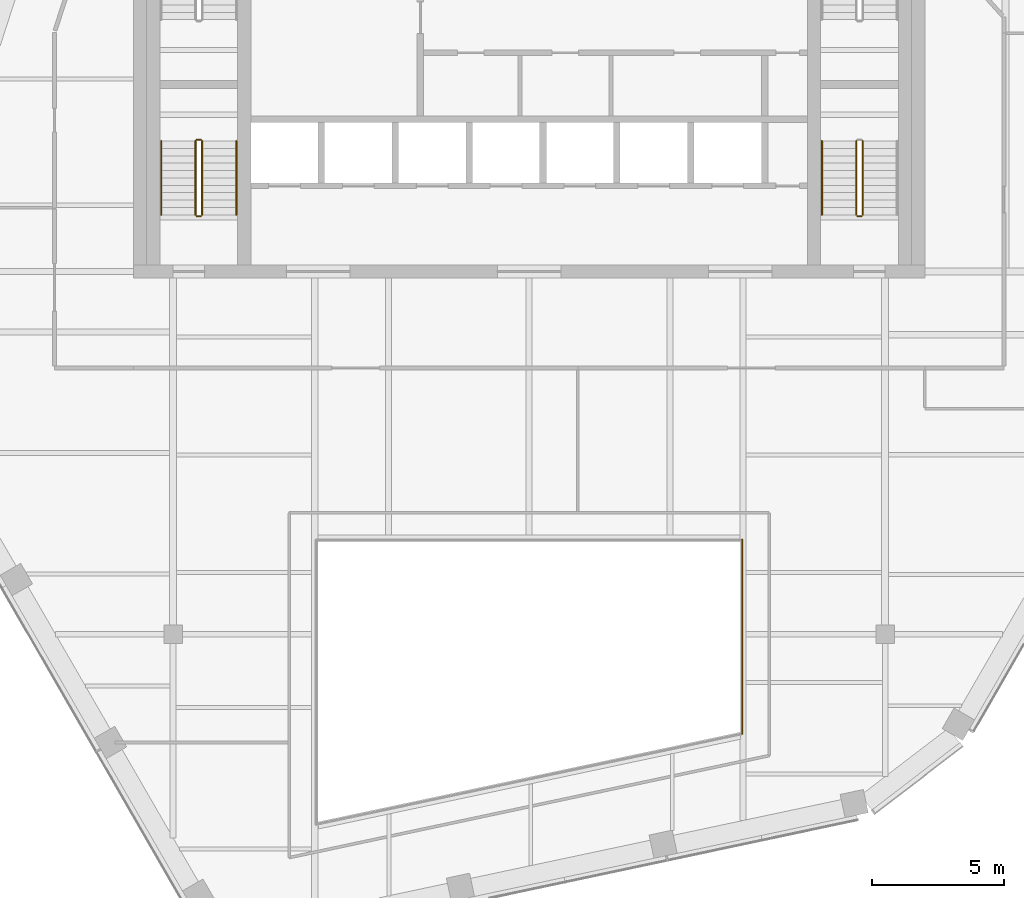
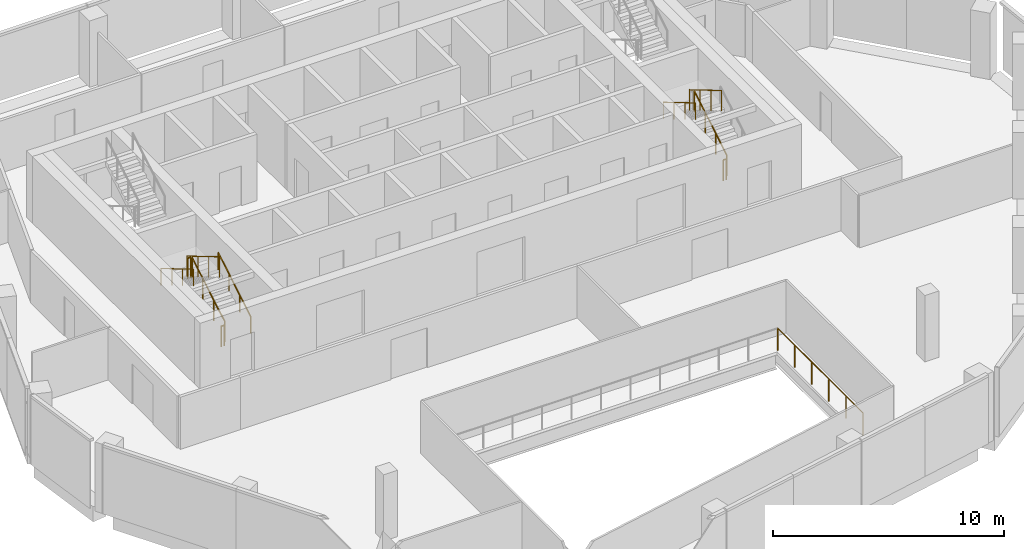
# One storey, part 12 of 15: 11 railings.
"""IFC4 building model written with IfcOpenShell, lengths in metres."""

from ifc_helpers import new_model, si_unit, direction, frame, origin, origin_2d, place, context, subcontext, project, spatial, circle, extrude, material, type_object, element, save


model = new_model("IFC4")

# Units and contexts
model_context = context("Model", 3, precision=1e-05, world=origin(), true_north=direction((0.0, 1.0)))
body_context = subcontext(model_context, "Body", "Model", "MODEL_VIEW")
ifc_project = project(units=[si_unit("LENGTHUNIT", "METRE"), si_unit("AREAUNIT", "SQUARE_METRE"), si_unit("VOLUMEUNIT", "CUBIC_METRE"), si_unit("PLANEANGLEUNIT", "RADIAN"), si_unit("MASSUNIT", "GRAM", prefix="KILO")], contexts=[model_context])

# Site, building, storey
site_placement = place(None, origin())
site = spatial("IfcSite", under=ifc_project, at=site_placement, CompositionType="ELEMENT")
building_placement = place(site_placement, origin())
building = spatial("IfcBuilding", under=site, at=building_placement, Name="Isthmus Gate Tower", CompositionType="ELEMENT")
storey_placement = place(building_placement, frame((0.0, 0.0, 282.85009765625)))
storey = spatial("IfcBuildingStorey", under=building, at=storey_placement, Name="L72", CompositionType="ELEMENT", Elevation=282.85009765625)

# Railings
ifc_material_1 = material(Name="Laminated toughened glass balustrade with steel rail", Category="steel")
railing_type_1 = type_object("IfcRailingType", Name="ATRIUM GUARD GLASS BALUSTRADE 1200", PredefinedType="GUARDRAIL", material=ifc_material_1)
railing_1_placement = place(storey_placement, frame((8.080078125, -9.919921875, 0.0)))
element("IfcRailing", 1, at=railing_1_placement, inside=storey, type_object=railing_type_1, Name="L72 atrium guard", PredefinedType="GUARDRAIL", context=body_context, shape_type="SweptSolid", body=[
    extrude(circle(Radius=0.02490234375, at=origin_2d()), frame((0.0, 0.0, 1.1748046875), z_axis=(0.0, -1.0, 0.0), x_axis=(1.0, 0.0, 0.0)), (0.0, 0.0, 1.0), 7.35498046875),
    extrude(circle(Radius=0.02490234375, at=origin_2d()), origin(), (0.0, 0.0, 1.0), 1.14990234375),
    extrude(circle(Radius=0.02490234375, at=origin_2d()), frame((0.0, -1.470947265625, 0.0)), (0.0, 0.0, 1.0), 1.14990234375),
    extrude(circle(Radius=0.02490234375, at=origin_2d()), frame((0.0, -2.94189453125, 0.0)), (0.0, 0.0, 1.0), 1.14990234375),
    extrude(circle(Radius=0.02490234375, at=origin_2d()), frame((0.0, -4.4130859375, 0.0)), (0.0, 0.0, 1.0), 1.14990234375),
    extrude(circle(Radius=0.02490234375, at=origin_2d()), frame((0.0, -5.884033203125, 0.0)), (0.0, 0.0, 1.0), 1.14990234375),
    extrude(circle(Radius=0.02490234375, at=origin_2d()), frame((0.0, -7.35498046875, 0.0)), (0.0, 0.0, 1.0), 1.14990234375),
])
ifc_material_2 = material(Name="Stainless steel balustrade", Category="steel")
railing_type_2 = type_object("IfcRailingType", Name="STAIR GUARD 1100", PredefinedType="GUARDRAIL", material=ifc_material_2)
railing_2_placement = place(storey_placement, frame((-12.39990234375, 2.39990234375, 0.165771484375)))
element("IfcRailing", 2, at=railing_2_placement, inside=storey, type_object=railing_type_2, Name="L72 ST7 stair guard 1", PredefinedType="GUARDRAIL", context=body_context, shape_type="SweptSolid", body=[
    extrude(circle(Radius=0.02392578125, at=origin_2d()), frame((0.0, 0.0, 1.076171875), z_axis=(0.0, 0.860306154799, 0.50977771628), x_axis=(-1.0, 0.0, 0.0)), (0.0, 0.0, 1.0), 3.254638671875),
    extrude(circle(Radius=0.02099609375, at=origin_2d()), origin(), (0.0, 0.0, 1.0), 1.052001953125),
    extrude(circle(Radius=0.02099609375, at=origin_2d()), frame((0.0, 0.933349609375, 0.552978515625)), (0.0, 0.0, 1.0), 1.052001953125),
    extrude(circle(Radius=0.02099609375, at=origin_2d()), frame((0.0, 1.86669921875, 1.106201171875)), (0.0, 0.0, 1.0), 1.052001953125),
    extrude(circle(Radius=0.02099609375, at=origin_2d()), frame((0.0, 2.800048828125, 1.6591796875)), (0.0, 0.0, 1.0), 1.052001953125),
])
railing_3_placement = place(storey_placement, frame((-12.449951171875, 5.25, 1.824951171875)))
element("IfcRailing", 3, at=railing_3_placement, inside=storey, type_object=railing_type_2, Name="L72 ST7 stair guard 2", PredefinedType="GUARDRAIL", context=body_context, shape_type="SweptSolid", body=[
    extrude(circle(Radius=0.02392578125, at=origin_2d()), frame((0.0, 0.0, 1.076171875), z_axis=(-1.0, 0.0, 0.0), x_axis=(0.0, -1.0, 0.0)), (0.0, 0.0, 1.0), 0.150146484375),
    extrude(circle(Radius=0.02099609375, at=origin_2d()), origin(), (0.0, 0.0, 1.0), 1.052001953125),
    extrude(circle(Radius=0.02099609375, at=origin_2d()), frame((-0.150146484375, 0.0, 0.0)), (0.0, 0.0, 1.0), 1.052001953125),
])
railing_4_placement = place(storey_placement, frame((-12.64990234375, 5.199951171875, 1.99072265625)))
element("IfcRailing", 4, at=railing_4_placement, inside=storey, type_object=railing_type_2, Name="L72 ST7 stair guard 3", PredefinedType="GUARDRAIL", context=body_context, shape_type="SweptSolid", body=[
    extrude(circle(Radius=0.02392578125, at=origin_2d()), frame((0.0, 0.0, 1.076171875), z_axis=(0.0, -0.860306154799, 0.50977771628), x_axis=(1.0, 0.0, 0.0)), (0.0, 0.0, 1.0), 3.254638671875),
    extrude(circle(Radius=0.02099609375, at=origin_2d()), origin(), (0.0, 0.0, 1.0), 1.052001953125),
    extrude(circle(Radius=0.02099609375, at=origin_2d()), frame((0.0, -0.933349609375, 0.552978515625)), (0.0, 0.0, 1.0), 1.052001953125),
    extrude(circle(Radius=0.02099609375, at=origin_2d()), frame((0.0, -1.86669921875, 1.106201171875)), (0.0, 0.0, 1.0), 1.052001953125),
    extrude(circle(Radius=0.02099609375, at=origin_2d()), frame((0.0, -2.800048828125, 1.6591796875)), (0.0, 0.0, 1.0), 1.052001953125),
])
railing_5_placement = place(storey_placement, frame((-12.449951171875, 2.35009765625, 0.0)))
element("IfcRailing", 5, at=railing_5_placement, inside=storey, type_object=railing_type_2, Name="L72 ST7 stair guard 4", PredefinedType="GUARDRAIL", context=body_context, shape_type="SweptSolid", body=[
    extrude(circle(Radius=0.02392578125, at=origin_2d()), frame((0.0, 0.0, 1.076171875), z_axis=(-1.0, 0.0, 0.0), x_axis=(0.0, -1.0, 0.0)), (0.0, 0.0, 1.0), 0.150146484375),
    extrude(circle(Radius=0.02099609375, at=origin_2d()), origin(), (0.0, 0.0, 1.0), 1.052001953125),
    extrude(circle(Radius=0.02099609375, at=origin_2d()), frame((-0.150146484375, 0.0, 0.0)), (0.0, 0.0, 1.0), 1.052001953125),
])
railing_6_placement = place(storey_placement, frame((12.64990234375, 2.39990234375, 0.165771484375)))
element("IfcRailing", 6, at=railing_6_placement, inside=storey, type_object=railing_type_2, Name="L72 ST8 stair guard 1", PredefinedType="GUARDRAIL", context=body_context, shape_type="SweptSolid", body=[
    extrude(circle(Radius=0.02392578125, at=origin_2d()), frame((0.0, 0.0, 1.076171875), z_axis=(0.0, 0.860306154799, 0.50977771628), x_axis=(-1.0, 0.0, 0.0)), (0.0, 0.0, 1.0), 3.254638671875),
    extrude(circle(Radius=0.02099609375, at=origin_2d()), origin(), (0.0, 0.0, 1.0), 1.052001953125),
    extrude(circle(Radius=0.02099609375, at=origin_2d()), frame((0.0, 0.933349609375, 0.552978515625)), (0.0, 0.0, 1.0), 1.052001953125),
    extrude(circle(Radius=0.02099609375, at=origin_2d()), frame((0.0, 1.86669921875, 1.106201171875)), (0.0, 0.0, 1.0), 1.052001953125),
    extrude(circle(Radius=0.02099609375, at=origin_2d()), frame((0.0, 2.800048828125, 1.6591796875)), (0.0, 0.0, 1.0), 1.052001953125),
])
railing_7_placement = place(storey_placement, frame((12.39990234375, 5.199951171875, 1.99072265625)))
element("IfcRailing", 7, at=railing_7_placement, inside=storey, type_object=railing_type_2, Name="L72 ST8 stair guard 3", PredefinedType="GUARDRAIL", context=body_context, shape_type="SweptSolid", body=[
    extrude(circle(Radius=0.02392578125, at=origin_2d()), frame((0.0, 0.0, 1.076171875), z_axis=(0.0, -0.860306154799, 0.50977771628), x_axis=(1.0, 0.0, 0.0)), (0.0, 0.0, 1.0), 3.254638671875),
    extrude(circle(Radius=0.02099609375, at=origin_2d()), origin(), (0.0, 0.0, 1.0), 1.052001953125),
    extrude(circle(Radius=0.02099609375, at=origin_2d()), frame((0.0, -0.933349609375, 0.552978515625)), (0.0, 0.0, 1.0), 1.052001953125),
    extrude(circle(Radius=0.02099609375, at=origin_2d()), frame((0.0, -1.86669921875, 1.106201171875)), (0.0, 0.0, 1.0), 1.052001953125),
    extrude(circle(Radius=0.02099609375, at=origin_2d()), frame((0.0, -2.800048828125, 1.6591796875)), (0.0, 0.0, 1.0), 1.052001953125),
])
railing_8_placement = place(storey_placement, frame((12.60009765625, 2.35009765625, 0.0)))
element("IfcRailing", 8, at=railing_8_placement, inside=storey, type_object=railing_type_2, Name="L72 ST8 stair guard 4", PredefinedType="GUARDRAIL", context=body_context, shape_type="SweptSolid", body=[
    extrude(circle(Radius=0.02392578125, at=origin_2d()), frame((0.0, 0.0, 1.076171875), z_axis=(-1.0, 0.0, 0.0), x_axis=(0.0, -1.0, 0.0)), (0.0, 0.0, 1.0), 0.150146484375),
    extrude(circle(Radius=0.02099609375, at=origin_2d()), origin(), (0.0, 0.0, 1.0), 1.052001953125),
    extrude(circle(Radius=0.02099609375, at=origin_2d()), frame((-0.150146484375, 0.0, 0.0)), (0.0, 0.0, 1.0), 1.052001953125),
])
ifc_material_3 = material(Name="Stainless steel handrail", Category="steel")
railing_type_3 = type_object("IfcRailingType", Name="STAIR HANDRAIL 900", PredefinedType="HANDRAIL", material=ifc_material_3)
railing_9_placement = place(storey_placement, frame((-11.10009765625, 2.39990234375, 0.165771484375)))
element("IfcRailing", 9, at=railing_9_placement, inside=storey, type_object=railing_type_3, Name="L72 ST7 stair handrail 1", PredefinedType="HANDRAIL", context=body_context, shape_type="SweptSolid", body=[
    extrude(circle(Radius=0.02392578125, at=origin_2d()), frame((0.0, 0.0, 0.8759765625), z_axis=(0.0, 0.860306154799, 0.50977771628), x_axis=(-1.0, 0.0, 0.0)), (0.0, 0.0, 1.0), 3.254638671875),
    extrude(circle(Radius=0.02099609375, at=origin_2d()), origin(), (0.0, 0.0, 1.0), 0.851806640625),
    extrude(circle(Radius=0.02099609375, at=origin_2d()), frame((0.0, 0.933349609375, 0.552978515625)), (0.0, 0.0, 1.0), 0.851806640625),
    extrude(circle(Radius=0.02099609375, at=origin_2d()), frame((0.0, 1.86669921875, 1.106201171875)), (0.0, 0.0, 1.0), 0.851806640625),
    extrude(circle(Radius=0.02099609375, at=origin_2d()), frame((0.0, 2.800048828125, 1.6591796875)), (0.0, 0.0, 1.0), 0.851806640625),
])
for number, where, name in (
    (10, (-13.949951171875, 5.199951171875, 1.99072265625), "L72 ST7 stair handrail 2"),
    (11, (11.10009765625, 5.199951171875, 1.99072265625), "L72 ST8 stair handrail 2"),
):
    element("IfcRailing", number, at=place(storey_placement, frame(where)), inside=storey, type_object=railing_type_3, Name=name, PredefinedType="HANDRAIL", context=body_context, shape_type="SweptSolid", body=[
        extrude(circle(Radius=0.02392578125, at=origin_2d()), frame((0.0, 0.0, 0.8759765625), z_axis=(0.0, -0.860306154799, 0.50977771628), x_axis=(1.0, 0.0, 0.0)), (0.0, 0.0, 1.0), 3.254638671875),
        extrude(circle(Radius=0.02099609375, at=origin_2d()), origin(), (0.0, 0.0, 1.0), 0.851806640625),
        extrude(circle(Radius=0.02099609375, at=origin_2d()), frame((0.0, -0.933349609375, 0.552978515625)), (0.0, 0.0, 1.0), 0.851806640625),
        extrude(circle(Radius=0.02099609375, at=origin_2d()), frame((0.0, -1.86669921875, 1.106201171875)), (0.0, 0.0, 1.0), 0.851806640625),
        extrude(circle(Radius=0.02099609375, at=origin_2d()), frame((0.0, -2.800048828125, 1.6591796875)), (0.0, 0.0, 1.0), 0.851806640625),
    ])

save(model, "model.ifc")
